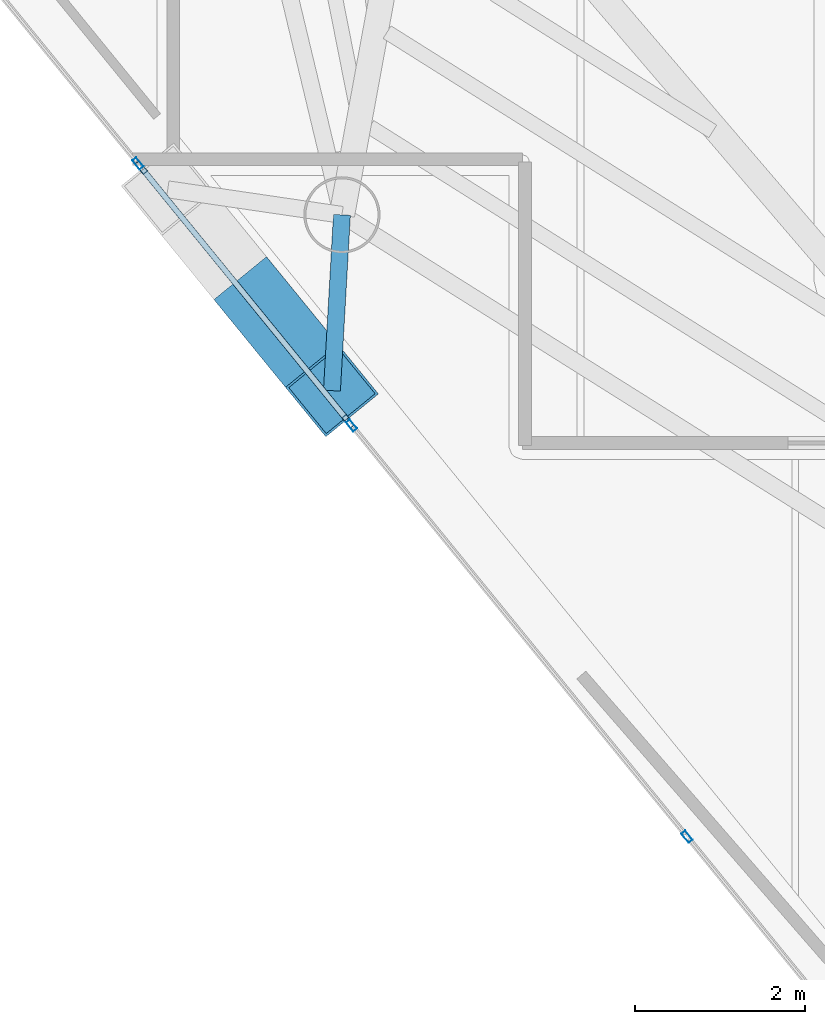
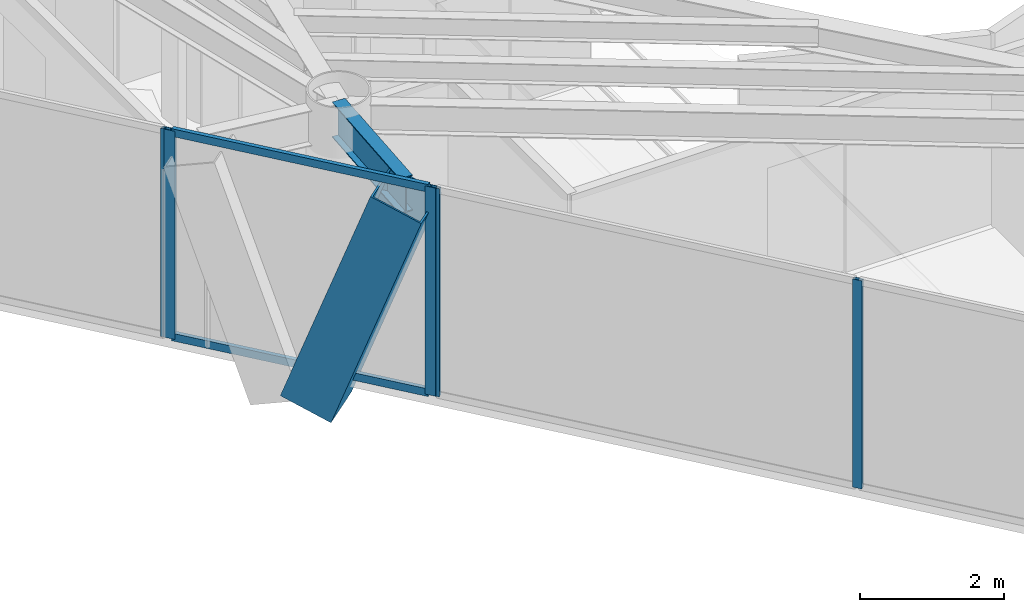
# One storey, part 2 of 23: 8 members, 1 beam, 3 elements without a shape of their own.
"""IFC4 building model written with IfcOpenShell, lengths in metres."""

import ifcopenshell
import ifcopenshell.guid

model = None  # the IFC model being written
_history = None  # IfcOwnerHistory: only IFC2X3 demands one
_inside = {}  # id of a spatial element -> (the spatial element, [elements in it])
_under = {}  # id of a project, library or spatial element -> (it, [spatial elements below it])
_declared = {}  # id of a project -> (the project, [libraries it declares])
_typed = {}  # id of a type object -> (the type object, [elements of that type])
_made_of = {}  # id of a material, layer set ... -> (it, [elements and type objects made of it])


def new_model(schema):
    """Start an empty IFC model of exactly this schema.

    Asked for "IFC4X3", IfcOpenShell would pick the latest addendum, in which some entities
    have other attributes; the version numbers below select the first issue.
    IFC2X3 requires an IfcOwnerHistory on every rooted entity: one is made here for all.
    """
    global model, _history
    if schema == "IFC4X3":
        model = ifcopenshell.file(schema_version=(4, 3, 0, 0))
    else:
        model = ifcopenshell.file(schema=schema)
    _inside.clear()
    _under.clear()
    _declared.clear()
    _typed.clear()
    _made_of.clear()
    _history = None
    if model.schema == "IFC2X3":
        org = make("IfcOrganization", Name="unknown")
        user = make(
            "IfcPersonAndOrganization",
            ThePerson=make("IfcPerson", FamilyName="unknown"),
            TheOrganization=org,
        )
        app = make(
            "IfcApplication",
            ApplicationDeveloper=org,
            Version="unknown",
            ApplicationFullName="unknown",
            ApplicationIdentifier="unknown",
        )
        _history = make(
            "IfcOwnerHistory",
            OwningUser=user,
            OwningApplication=app,
            ChangeAction="ADDED",
            CreationDate=0,
        )
    return model


def make(cls, **values):
    """One entity of the class cls with the attributes given. An attribute that is None is left unset."""
    return model.create_entity(
        cls, **{name: value for name, value in values.items() if value is not None}
    )


def rooted(cls, **values):
    """An entity with a GlobalId (a new one), such as an element, a storey or a relation."""
    return make(cls, GlobalId=ifcopenshell.guid.new(), OwnerHistory=_history, **values)


def si_unit(unit_type, name, prefix=None):
    """IfcSIUnit, for example si_unit("LENGTHUNIT", "METRE", prefix="MILLI")."""
    return make("IfcSIUnit", UnitType=unit_type, Prefix=prefix, Name=name)


def assignment(units):
    """IfcUnitAssignment: the units of a project."""
    return None if units is None else make("IfcUnitAssignment", Units=units)


def point(xyz):
    """IfcCartesianPoint."""
    return None if xyz is None else make("IfcCartesianPoint", Coordinates=xyz)


def direction(xyz):
    """IfcDirection."""
    return None if xyz is None else make("IfcDirection", DirectionRatios=xyz)


def frame(location, z_axis=None, x_axis=None):
    """IfcAxis2Placement3D, a coordinate frame: its origin and axes. An axis left out is left unset."""
    return make(
        "IfcAxis2Placement3D",
        Location=point(location),
        Axis=direction(z_axis),
        RefDirection=direction(x_axis),
    )


def frame_2d(location, x_axis=None):
    """IfcAxis2Placement2D, a coordinate frame in the plane: its origin and x axis."""
    return make(
        "IfcAxis2Placement2D", Location=point(location), RefDirection=direction(x_axis)
    )


def origin():
    """The frame at (0, 0, 0) with its axes left unset."""
    return frame((0.0, 0.0, 0.0))


def origin_2d():
    """The frame at (0, 0) in the plane with its x axis left unset."""
    return frame_2d((0.0, 0.0))


def place(relative_to, where):
    """IfcLocalPlacement: puts the frame where relative to a parent placement (None: the world)."""
    return make(
        "IfcLocalPlacement", PlacementRelTo=relative_to, RelativePlacement=where
    )


def context(
    kind, dimensions, precision=None, world=None, true_north=None, identifier=None
):
    """IfcGeometricRepresentationContext, for example the 3D "Model" context."""
    return make(
        "IfcGeometricRepresentationContext",
        ContextIdentifier=identifier,
        ContextType=kind,
        CoordinateSpaceDimension=dimensions,
        Precision=precision,
        WorldCoordinateSystem=world,
        TrueNorth=true_north,
    )


def subcontext(parent, identifier, kind, view, scale=None):
    """IfcGeometricRepresentationSubContext, for example "Body" below "Model"."""
    return make(
        "IfcGeometricRepresentationSubContext",
        ContextIdentifier=identifier,
        ContextType=kind,
        ParentContext=parent,
        TargetScale=scale,
        TargetView=view,
    )


def project(units=None, contexts=None):
    """IfcProject with its units and contexts."""
    return rooted(
        "IfcProject",
        Name="project",
        RepresentationContexts=contexts,
        UnitsInContext=assignment(units),
    )


def spatial(cls, under=None, at=None, **own):
    """A site, building, storey or space (cls), placed at a placement, below another one or the project."""
    s = rooted(cls, ObjectPlacement=at, **own)
    if under is not None:
        _under.setdefault(under.id(), (under, []))[1].append(s)
    return s


def profile(cls, at=None, kind="AREA", **sizes):
    """A parametric profile (cls). Its sizes go by their IFC names, for example OverallWidth=200.0."""
    return make(cls, ProfileType=kind, Position=at, **sizes)


def hollow_rectangle(**sizes):
    """IfcRectangleHollowProfileDef."""
    return profile("IfcRectangleHollowProfileDef", **sizes)


def i_section(**sizes):
    """IfcIShapeProfileDef."""
    return profile("IfcIShapeProfileDef", **sizes)


def extrude(swept, where, along, depth):
    """IfcExtrudedAreaSolid: the profile swept, set in the frame where, extruded along a direction by depth."""
    return make(
        "IfcExtrudedAreaSolid",
        SweptArea=swept,
        Position=where,
        ExtrudedDirection=direction(along),
        Depth=depth,
    )


def shape(context_of_items, identifier, shape_type, items):
    """IfcShapeRepresentation: the items that make up one representation, for example the "Body"."""
    return make(
        "IfcShapeRepresentation",
        ContextOfItems=context_of_items,
        RepresentationIdentifier=identifier,
        RepresentationType=shape_type,
        Items=items,
    )


def material(Name=None, Category=None):
    """IfcMaterial."""
    return make("IfcMaterial", Name=Name, Category=Category)


def layer(
    of_material, thickness, ventilated=None, Name=None, Category=None, Priority=None
):
    """IfcMaterialLayer: one layer of a wall or slab, of a material (None: an air gap)."""
    return make(
        "IfcMaterialLayer",
        Material=of_material,
        LayerThickness=thickness,
        IsVentilated=ventilated,
        Name=Name,
        Category=Category,
        Priority=Priority,
    )


def layer_set(layers, Name=None):
    """IfcMaterialLayerSet."""
    return make("IfcMaterialLayerSet", MaterialLayers=layers, LayerSetName=Name)


def material_profile(
    of_material, cross_section, Name=None, Category=None, Priority=None
):
    """IfcMaterialProfile: a cross section and its material."""
    return make(
        "IfcMaterialProfile",
        Name=Name,
        Material=of_material,
        Profile=cross_section,
        Priority=Priority,
        Category=Category,
    )


def profile_set(profiles, Name=None, composite=None):
    """IfcMaterialProfileSet."""
    return make(
        "IfcMaterialProfileSet",
        Name=Name,
        MaterialProfiles=profiles,
        CompositeProfile=composite,
    )


def made_of(thing, what):
    """Note that an element or type object is made of a material, layer set ...; save() writes the relation."""
    if what is not None:
        _made_of.setdefault(what.id(), (what, []))[1].append(thing)
    return thing


def type_object(cls, material=None, **own):
    """A type object (cls), such as IfcWallType, which elements share."""
    return made_of(rooted(cls, **own), material)


def element(
    cls,
    number,
    at=None,
    inside=None,
    cuts=None,
    type_object=None,
    material=None,
    context=None,
    identifier="Body",
    shape_type=None,
    held_by="IfcProductDefinitionShape",
    body=None,
    shapes=None,
    **own,
):
    """One element of the class cls, such as IfcWall. Its Tag is "e" and its number.

    at: its placement. inside: the storey or other place that contains it. cuts: it is an
    opening in that element (IfcRelVoidsElement). A single representation is given by context,
    identifier, shape_type and body (its items); several are given by shapes. held_by: the class
    of the entity that holds the representations. save() writes the other relations.
    """
    e = rooted(cls, Tag="e%d" % number, ObjectPlacement=at, **own)
    if body is not None:
        shapes = [shape(context, identifier, shape_type, body)]
    if shapes is not None:
        e.Representation = make(held_by, Representations=shapes)
    if inside is not None:
        _inside.setdefault(inside.id(), (inside, []))[1].append(e)
    if cuts is not None:
        rooted(
            "IfcRelVoidsElement", RelatingBuildingElement=cuts, RelatedOpeningElement=e
        )
    if type_object is not None:
        _typed.setdefault(type_object.id(), (type_object, []))[1].append(e)
    return made_of(e, material)


def aggregate(whole, parts):
    """IfcRelAggregates: a whole, such as a stair, and the parts it consists of."""
    return rooted("IfcRelAggregates", RelatingObject=whole, RelatedObjects=parts)


def save(model, path):
    """Write the relations noted so far, then the file.

    IfcRelAggregates (storeys below a building ...), IfcRelContainedInSpatialStructure (elements
    in a storey), IfcRelDefinesByType, IfcRelAssociatesMaterial and IfcRelDeclares: one each for
    every whole, place, type object, material and project.
    """
    for whole, parts in _under.values():
        aggregate(whole, parts)
    for where, things in _inside.values():
        rooted(
            "IfcRelContainedInSpatialStructure",
            RelatedElements=things,
            RelatingStructure=where,
        )
    for kind, things in _typed.values():
        rooted("IfcRelDefinesByType", RelatedObjects=things, RelatingType=kind)
    for what, things in _made_of.values():
        rooted("IfcRelAssociatesMaterial", RelatedObjects=things, RelatingMaterial=what)
    for by, libraries in _declared.values():
        rooted("IfcRelDeclares", RelatingContext=by, RelatedDefinitions=libraries)
    model.write(path)


model = new_model("IFC4")

# Units and contexts
model_context = context("Model", 3, precision=1e-05, world=origin(), true_north=direction((0.0, 1.0)))
body_context = subcontext(model_context, "Body", "Model", "MODEL_VIEW")
ifc_project = project(units=[si_unit("LENGTHUNIT", "METRE"), si_unit("AREAUNIT", "SQUARE_METRE"), si_unit("VOLUMEUNIT", "CUBIC_METRE"), si_unit("PLANEANGLEUNIT", "RADIAN"), si_unit("MASSUNIT", "GRAM", prefix="KILO")], contexts=[model_context])

# Site, building, storey
site_placement = place(None, origin())
site = spatial("IfcSite", under=ifc_project, at=site_placement, CompositionType="ELEMENT")
building_placement = place(site_placement, origin())
building = spatial("IfcBuilding", under=site, at=building_placement, Name="Qianvela Tower", CompositionType="ELEMENT")
storey_placement = place(building_placement, frame((0.0, 0.0, 313.89990234375)))
storey = spatial("IfcBuildingStorey", under=building, at=storey_placement, Name="L81", CompositionType="ELEMENT", Elevation=313.89990234375)

# Beam
ifc_material_1 = material(Name="Steel Q355B", Category="steel")
ifc_material_profile_1 = material_profile(ifc_material_1, i_section(OverallWidth=0.199951171875, OverallDepth=0.60009765625, WebThickness=0.010986328125, FlangeThickness=0.01708984375, at=origin_2d()), Name="HN600x200x11x17")
ifc_profile_set_1 = profile_set([ifc_material_profile_1], Name="Steel Q355B")
beam_type = type_object("IfcBeamType", Name="BM-HN600-GIRD", PredefinedType="BEAM", material=ifc_profile_set_1)
beam_placement = place(storey_placement, frame((27.669921875, 18.77392578125, 3.218017578125), z_axis=(-0.056765295697, -0.998387550606, 0.0), x_axis=(0.998387550606, -0.056765295697, 0.0)))
element("IfcBeam", 1, at=beam_placement, inside=storey, type_object=beam_type, Name="L81 Mega-Brace Column Tie Bracket F2-2", PredefinedType="BEAM", context=body_context, shape_type="SweptSolid", body=[
    extrude(i_section(OverallWidth=0.199951171875, OverallDepth=0.60009765625, WebThickness=0.010986328125, FlangeThickness=0.01708984375, at=origin_2d()), origin(), (0.0, 0.0, 1.0), 2.077392578125),
])

# Curtain wall, members
ifc_material_2 = material(Name="Anodised Architectural Aluminium and Insulated Spandrel Panel", Category="aluminium")
ifc_layer_1 = layer(ifc_material_2, 0.179931640625)
ifc_layer_set_1 = layer_set([ifc_layer_1], Name="Anodised Architectural Aluminium and Insulated Spandrel Panel")
curtain_wall_type_1 = type_object("IfcCurtainWallType", Name="CW-BRACEBAY", PredefinedType="USERDEFINED", material=ifc_layer_set_1)
curtain_wall_1_placement = place(storey_placement, origin())
curtain_wall_1 = element("IfcCurtainWall", 2, at=curtain_wall_1_placement, inside=storey, type_object=curtain_wall_type_1, Name="L81 CW-BRACEBAY Curtain Wall 04B", ObjectType="CURTAIN_WALL_SYSTEM", PredefinedType="USERDEFINED")
ifc_material_3 = material(Name="Anodised Architectural Aluminium 6063-T6", Category="aluminium")
ifc_material_profile_2 = material_profile(ifc_material_3, hollow_rectangle(XDim=0.06494140625, YDim=0.159912109375, WallThickness=0.0048828125, at=origin_2d()), Name="ALU-MULL-65x160")
ifc_profile_set_2 = profile_set([ifc_material_profile_2], Name="Anodised Architectural Aluminium 6063-T6")
member_type_1 = type_object("IfcMemberType", Name="CW-BRACEBAY-MULL", PredefinedType="MULLION", material=ifc_profile_set_2)
member_1_placement = place(storey_placement, frame((25.301025390625, 19.333251953125, 0.0), z_axis=(0.0, 0.0, 1.0), x_axis=(0.774960783384, 0.632009322887, 0.0)))
member_1 = element("IfcMember", 3, at=member_1_placement, type_object=member_type_1, Name="CW-9 mullion 1", PredefinedType="MULLION", context=body_context, shape_type="SweptSolid", body=[
    extrude(hollow_rectangle(XDim=0.06494140625, YDim=0.159912109375, WallThickness=0.0048828125, at=origin_2d()), origin(), (0.0, 0.0, 1.0), 3.52001953125),
])
member_2_placement = place(storey_placement, frame((27.743896484375, 16.338134765625, 0.0), z_axis=(0.0, 0.0, 1.0), x_axis=(0.774960783384, 0.632009322887, 0.0)))
member_2 = element("IfcMember", 4, at=member_2_placement, type_object=member_type_1, Name="CW-9 mullion 2", PredefinedType="MULLION", context=body_context, shape_type="SweptSolid", body=[
    extrude(hollow_rectangle(XDim=0.06494140625, YDim=0.159912109375, WallThickness=0.0048828125, at=origin_2d()), origin(), (0.0, 0.0, 1.0), 3.52001953125),
])
ifc_material_4 = material(Name="Anodised Architectural Aluminium 6063-T6", Category="aluminium")
ifc_material_profile_3 = material_profile(ifc_material_4, hollow_rectangle(XDim=0.06494140625, YDim=0.1298828125, WallThickness=0.00439453125, at=origin_2d()), Name="ALU-TRAN-65x130")
ifc_profile_set_3 = profile_set([ifc_material_profile_3], Name="Anodised Architectural Aluminium 6063-T6")
member_type_2 = type_object("IfcMemberType", Name="CW-BRACEBAY-TRAN", PredefinedType="USERDEFINED", material=ifc_profile_set_3)
member_3_placement = place(storey_placement, frame((25.32177734375, 19.30810546875, 0.03271484375), z_axis=(0.632008963081, -0.77496107682, 0.0), x_axis=(0.77496107682, 0.632008963081, 0.0)))
member_3 = element("IfcMember", 5, at=member_3_placement, type_object=member_type_2, Name="CW-9 transom 1.1", ObjectType="TRANSOM", PredefinedType="USERDEFINED", context=body_context, shape_type="SweptSolid", body=[
    extrude(hollow_rectangle(XDim=0.06494140625, YDim=0.1298828125, WallThickness=0.00439453125, at=origin_2d()), origin(), (0.0, 0.0, 1.0), 3.800048828125),
])
member_4_placement = place(storey_placement, frame((25.32177734375, 19.30810546875, 3.487548828125), z_axis=(0.632008963081, -0.77496107682, 0.0), x_axis=(0.77496107682, 0.632008963081, 0.0)))
member_4 = element("IfcMember", 6, at=member_4_placement, type_object=member_type_2, Name="CW-9 transom 1.2", ObjectType="TRANSOM", PredefinedType="USERDEFINED", context=body_context, shape_type="SweptSolid", body=[
    extrude(hollow_rectangle(XDim=0.06494140625, YDim=0.1298828125, WallThickness=0.00439453125, at=origin_2d()), origin(), (0.0, 0.0, 1.0), 3.800048828125),
])
aggregate(curtain_wall_1, [member_1, member_2, member_3, member_4])

# Curtain wall, member
ifc_material_5 = material(Name="Anodised Architectural Aluminium and Low-E Glass", Category="aluminium")
ifc_layer_2 = layer(ifc_material_5, 0.14990234375)
ifc_layer_set_2 = layer_set([ifc_layer_2], Name="Anodised Architectural Aluminium and Low-E Glass")
curtain_wall_type_2 = type_object("IfcCurtainWallType", Name="CW-COLIV-Z78", PredefinedType="USERDEFINED", material=ifc_layer_set_2)
curtain_wall_2_placement = place(storey_placement, origin())
curtain_wall_2 = element("IfcCurtainWall", 7, at=curtain_wall_2_placement, inside=storey, type_object=curtain_wall_type_2, Name="L81 CW-COLIV-Z78 Curtain Wall 04A", ObjectType="CURTAIN_WALL_SYSTEM", PredefinedType="USERDEFINED")
ifc_material_6 = material(Name="Anodised Architectural Aluminium 6063-T6", Category="aluminium")
ifc_material_profile_4 = material_profile(ifc_material_6, hollow_rectangle(XDim=0.06005859375, YDim=0.139892578125, WallThickness=0.00439453125, at=origin_2d()), Name="ALU-MULL-60x140")
ifc_profile_set_4 = profile_set([ifc_material_profile_4], Name="Anodised Architectural Aluminium 6063-T6")
member_type_3 = type_object("IfcMemberType", Name="CW-COLIV-Z78-MULL", PredefinedType="MULLION", material=ifc_profile_set_4)
member_5_placement = place(storey_placement, frame((25.26171875, 19.3818359375, 0.0), z_axis=(0.0, 0.0, 1.0), x_axis=(0.774943533353, 0.632030474039, 0.0)))
member_5 = element("IfcMember", 8, at=member_5_placement, type_object=member_type_3, Name="CW-6 mullion 2", PredefinedType="MULLION", context=body_context, shape_type="SweptSolid", body=[
    extrude(hollow_rectangle(XDim=0.06005859375, YDim=0.139892578125, WallThickness=0.00439453125, at=origin_2d()), origin(), (0.0, 0.0, 1.0), 3.52001953125),
])
aggregate(curtain_wall_2, [member_5])

# Curtain wall, members
curtain_wall_3_placement = place(storey_placement, origin())
curtain_wall_3 = element("IfcCurtainWall", 9, at=curtain_wall_3_placement, inside=storey, type_object=curtain_wall_type_2, Name="L81 CW-COLIV-Z78 Curtain Wall 04C", ObjectType="CURTAIN_WALL_SYSTEM", PredefinedType="USERDEFINED")
member_6_placement = place(storey_placement, frame((27.783447265625, 16.28955078125, 0.0), z_axis=(0.0, 0.0, 1.0), x_axis=(0.774943588321, 0.632030406642, 0.0)))
member_6 = element("IfcMember", 10, at=member_6_placement, type_object=member_type_3, Name="CW-6 mullion 1", PredefinedType="MULLION", context=body_context, shape_type="SweptSolid", body=[
    extrude(hollow_rectangle(XDim=0.06005859375, YDim=0.139892578125, WallThickness=0.00439453125, at=origin_2d()), origin(), (0.0, 0.0, 1.0), 3.52001953125),
])
member_7_placement = place(storey_placement, frame((31.74072265625, 11.4375, 0.0), z_axis=(0.0, 0.0, 1.0), x_axis=(0.774943588321, 0.632030406642, 0.0)))
member_7 = element("IfcMember", 11, at=member_7_placement, type_object=member_type_3, Name="CW-6 mullion 2", PredefinedType="MULLION", context=body_context, shape_type="SweptSolid", body=[
    extrude(hollow_rectangle(XDim=0.06005859375, YDim=0.139892578125, WallThickness=0.00439453125, at=origin_2d()), origin(), (0.0, 0.0, 1.0), 3.52001953125),
])
aggregate(curtain_wall_3, [member_6, member_7])

# Member
ifc_material_7 = material(Name="Steel Q420GJC", Category="steel")
ifc_material_profile_5 = material_profile(ifc_material_7, hollow_rectangle(XDim=0.800048828125, YDim=0.800048828125, WallThickness=0.028076171875, at=origin_2d()), Name="MBOX-800x800x28")
ifc_profile_set_5 = profile_set([ifc_material_profile_5], Name="Steel Q420GJC")
member_type_4 = type_object("IfcMemberType", Name="MBR-MBRACE-800", PredefinedType="BRACE", material=ifc_profile_set_5)
member_8_placement = place(storey_placement, frame((26.70703125, 17.736083984375, -0.48193359375), z_axis=(0.214780900687, -0.263371899022, 0.940480944786), x_axis=(0.774973281316, 0.631993997793, 0.0)))
element("IfcMember", 12, at=member_8_placement, inside=storey, type_object=member_type_4, Name="L81 Tier 13 Exterior Mega-Brace F2B", PredefinedType="BRACE", context=body_context, shape_type="SweptSolid", body=[
    extrude(hollow_rectangle(XDim=0.800048828125, YDim=0.800048828125, WallThickness=0.028076171875, at=origin_2d()), origin(), (0.0, 0.0, 1.0), 3.93408203125),
])

save(model, "model.ifc")
